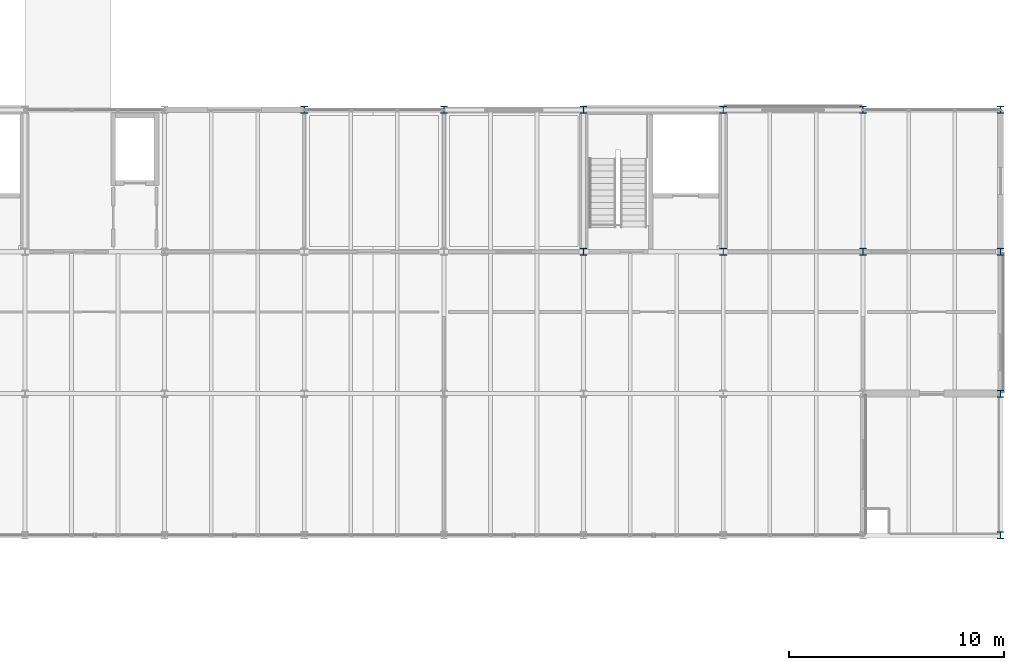
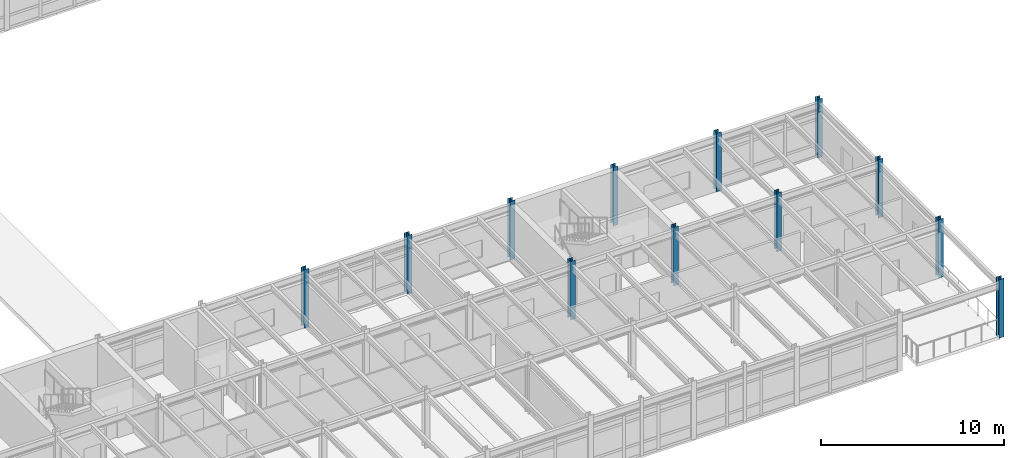
# One storey, part 11 of 49: 12 columns.
"""IFC4 building model written with IfcOpenShell, lengths in metres."""

from ifc_helpers import new_model, si_unit, direction, frame, origin, origin_2d, place, context, subcontext, project, spatial, i_section, extrude, material, material_profile, profile_set, type_object, element, save


model = new_model("IFC4")

# Units and contexts
model_context = context("Model", 3, precision=1e-05, world=origin(), true_north=direction((0.0, 1.0)))
body_context = subcontext(model_context, "Body", "Model", "MODEL_VIEW")
ifc_project = project(units=[si_unit("LENGTHUNIT", "METRE"), si_unit("AREAUNIT", "SQUARE_METRE"), si_unit("VOLUMEUNIT", "CUBIC_METRE"), si_unit("PLANEANGLEUNIT", "RADIAN"), si_unit("MASSUNIT", "GRAM", prefix="KILO")], contexts=[model_context])

# Site, building, storey
site_placement = place(None, origin())
site = spatial("IfcSite", under=ifc_project, at=site_placement, CompositionType="ELEMENT")
building_placement = place(site_placement, origin())
building = spatial("IfcBuilding", under=site, at=building_placement, Name="Trelmorton Wharf Fire Station", CompositionType="ELEMENT")
storey_placement = place(building_placement, frame((0.0, 0.0, 9.60009765625)))
storey = spatial("IfcBuildingStorey", under=building, at=storey_placement, Name="L02", CompositionType="ELEMENT", Elevation=9.60009765625)

# Columns
ifc_material = material(Name="Steel Grade 350", Category="steel")
ifc_material_profile = material_profile(ifc_material, i_section(OverallWidth=0.30908203125, OverallDepth=0.321044921875, WebThickness=0.013916015625, FlangeThickness=0.021728515625, FilletRadius=0.0166015625, at=origin_2d()), Name="310UC137")
ifc_profile_set = profile_set([ifc_material_profile], Name="Steel Grade 350")
column_type = type_object("IfcColumnType", Name="COL_310UC137", PredefinedType="COLUMN", material=ifc_profile_set)
for number, where, z_axis, x_axis, name in (
    (1, (130.0, 27.60009765625, 0.0), (0.0, 0.0, 1.0), (1.0, 0.0, 0.0), "COL-L02-0539"),
    (2, (136.5, 27.60009765625, 0.0), (0.0, 0.0, 1.0), (1.0, 0.0, 0.0), "COL-L02-0547"),
    (3, (143.0, 21.0, 0.0), (0.0, 0.0, 1.0), (1.0, 0.0, 0.0), "COL-L02-0554"),
    (4, (143.0, 27.60009765625, 0.0), (0.0, 0.0, 1.0), (1.0, 0.0, 0.0), "COL-L02-0555"),
    (5, (149.5, 21.0, 0.0), (0.0, 0.0, 1.0), (1.0, 0.0, 0.0), "COL-L02-0562"),
    (6, (149.5, 27.60009765625, 0.0), (0.0, 0.0, 1.0), (1.0, 0.0, 0.0), "COL-L02-0563"),
    (7, (156.0, 21.0, 0.0), (0.0, 0.0, 1.0), (1.0, 0.0, 0.0), "COL-L02-0570"),
    (8, (156.0, 27.60009765625, 0.0), (0.0, 0.0, 1.0), (1.0, 0.0, 0.0), "COL-L02-0571"),
    (9, (162.39990234375, 7.800048828125, 0.0), (0.0, 0.0, 1.0), (1.0, 0.0, 0.0), "COL-L02-0576"),
    (10, (162.39990234375, 14.39990234375, 0.0), (0.0, 0.0, 1.0), (1.0, 0.0, 0.0), "COL-L02-0577"),
    (11, (162.39990234375, 21.0, 0.0), (0.0, 0.0, 1.0), (1.0, 0.0, 0.0), "COL-L02-0578"),
    (12, (162.39990234375, 27.60009765625, 0.0), (0.0, 0.0, 1.0), (1.0, 0.0, 0.0), "COL-L02-0579"),
):
    element("IfcColumn", number, at=place(storey_placement, frame(where, z_axis=z_axis, x_axis=x_axis)), inside=storey, type_object=column_type, Name=name, PredefinedType="COLUMN", context=body_context, shape_type="SweptSolid", body=[
        extrude(i_section(OverallWidth=0.30908203125, OverallDepth=0.321044921875, WebThickness=0.013916015625, FlangeThickness=0.021728515625, FilletRadius=0.0166015625, at=origin_2d()), origin(), (0.0, 0.0, 1.0), 3.89990234375),
    ])

save(model, "model.ifc")
